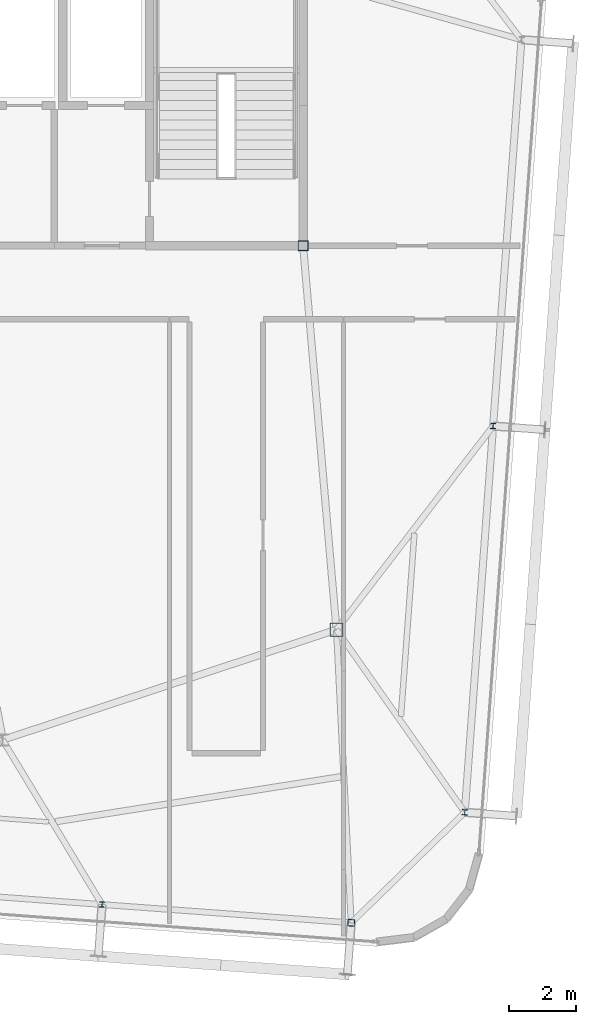
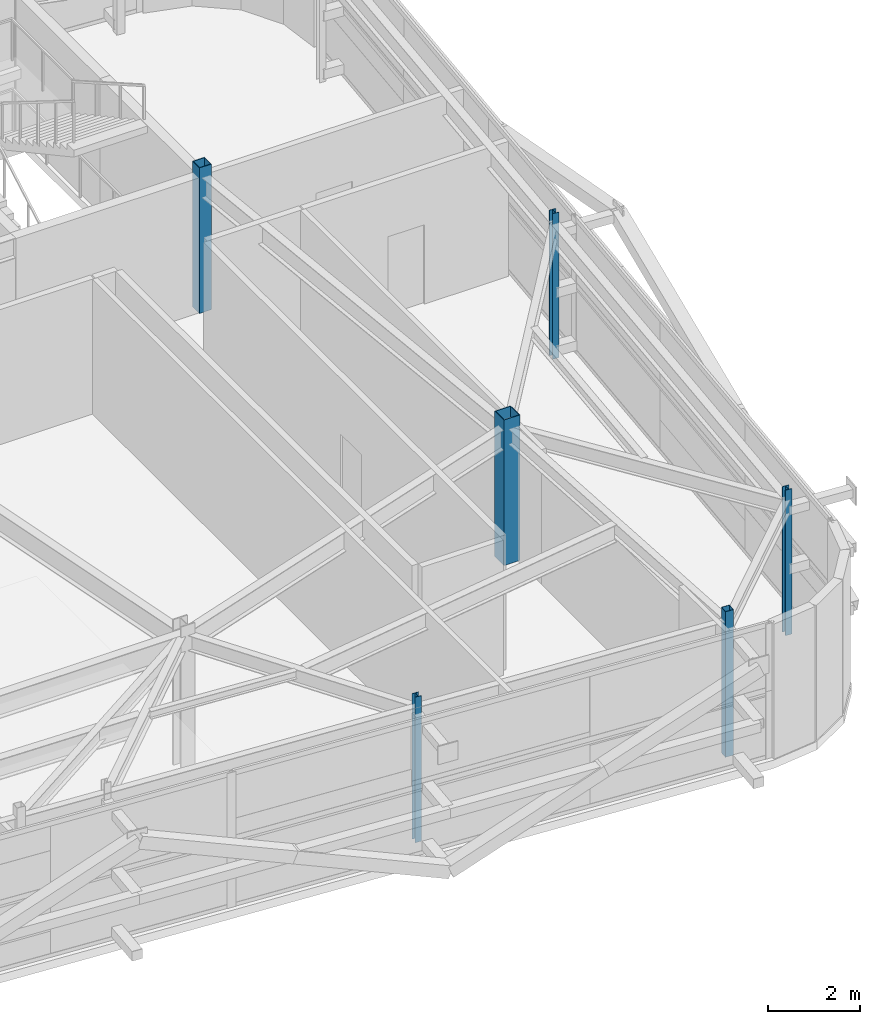
# One storey, part 5 of 35: 6 columns.
"""IFC4 building model written with IfcOpenShell, lengths in metres."""

from ifc_helpers import new_model, si_unit, direction, frame, origin, origin_2d, place, context, subcontext, project, spatial, hollow_rectangle, i_section, extrude, source, transform, mapped, material, material_profile, profile_set, type_object, element, save


model = new_model("IFC4")

# Units and contexts
model_context = context("Model", 3, precision=1e-05, world=origin(), true_north=direction((0.0, 1.0)))
body_context = subcontext(model_context, "Body", "Model", "MODEL_VIEW")
ifc_project = project(units=[si_unit("LENGTHUNIT", "METRE"), si_unit("AREAUNIT", "SQUARE_METRE"), si_unit("VOLUMEUNIT", "CUBIC_METRE"), si_unit("PLANEANGLEUNIT", "RADIAN"), si_unit("MASSUNIT", "GRAM", prefix="KILO")], contexts=[model_context])

# Site, building, storey
site_placement = place(None, origin())
site = spatial("IfcSite", under=ifc_project, at=site_placement, CompositionType="ELEMENT")
building_placement = place(site_placement, origin())
building = spatial("IfcBuilding", under=site, at=building_placement, Name="Taldren Reach Tower", CompositionType="ELEMENT")
storey_placement = place(building_placement, frame((0.0, 0.0, 249.199951171875)))
storey = spatial("IfcBuildingStorey", under=building, at=storey_placement, Name="L76", CompositionType="ELEMENT", Elevation=249.199951171875)

# Columns
ifc_material_1 = material(Name="Steel Gr 450 (C450L0)", Category="steel")
ifc_material_profile_1 = material_profile(ifc_material_1, hollow_rectangle(XDim=0.300048828125, YDim=0.300048828125, WallThickness=0.012451171875, at=origin_2d()), Name="300x300x12.5SHS")
ifc_profile_set_1 = profile_set([ifc_material_profile_1], Name="Steel Gr 450 (C450L0)")
column_type_1 = type_object("IfcColumnType", Name="COL-SHS300", PredefinedType="COLUMN", material=ifc_profile_set_1)
shared_shape_1 = source(origin(), body_context, "Body", "SweptSolid", [
    extrude(hollow_rectangle(XDim=0.300048828125, YDim=0.300048828125, WallThickness=0.012451171875, at=origin_2d()), origin(), (0.0, 0.0, 1.0), 3.85009765625),
])
column_1_placement = place(storey_placement, frame((51.0, 24.0, 0.0), z_axis=(0.0, 0.0, 1.0), x_axis=(1.0, 0.0, 0.0)))
element("IfcColumn", 1, at=column_1_placement, inside=storey, type_object=column_type_1, Name="Mega column MC-C4 L76", PredefinedType="COLUMN", context=body_context, shape_type="MappedRepresentation", body=[
    mapped(shared_shape_1, transform((0.0, 0.0, 0.0), scale=1.0)),
])
ifc_material_profile_2 = material_profile(ifc_material_1, hollow_rectangle(XDim=0.39990234375, YDim=0.39990234375, WallThickness=0.01611328125, at=origin_2d()), Name="400x400x16.0SHS")
ifc_profile_set_2 = profile_set([ifc_material_profile_2], Name="Steel Gr 450 (C450L0)")
column_type_2 = type_object("IfcColumnType", Name="COL-SHS400", PredefinedType="COLUMN", material=ifc_profile_set_2)
shared_shape_2 = source(origin(), body_context, "Body", "SweptSolid", [
    extrude(hollow_rectangle(XDim=0.39990234375, YDim=0.39990234375, WallThickness=0.01611328125, at=origin_2d()), origin(), (0.0, 0.0, 1.0), 3.85009765625),
])
column_2_placement = place(storey_placement, frame((52.0, 12.5, 0.0), z_axis=(0.0, 0.0, 1.0), x_axis=(1.0, 0.0, 0.0)))
element("IfcColumn", 2, at=column_2_placement, inside=storey, type_object=column_type_2, Name="Mega column MC-SE L76", PredefinedType="COLUMN", context=body_context, shape_type="MappedRepresentation", body=[
    mapped(shared_shape_2, transform((0.0, 0.0, 0.0), scale=1.0)),
])
ifc_material_2 = material(Name="Steel Gr 350 (C350L0)", Category="steel")
ifc_material_profile_3 = material_profile(ifc_material_2, hollow_rectangle(XDim=0.199951171875, YDim=0.199951171875, WallThickness=0.009033203125, at=origin_2d()), Name="200x200x9.0SHS")
ifc_profile_set_3 = profile_set([ifc_material_profile_3], Name="Steel Gr 350 (C350L0)")
column_type_3 = type_object("IfcColumnType", Name="COL-SHS200", PredefinedType="COLUMN", material=ifc_profile_set_3)
shared_shape_3 = source(origin(), body_context, "Body", "SweptSolid", [
    extrude(hollow_rectangle(XDim=0.199951171875, YDim=0.199951171875, WallThickness=0.009033203125, at=origin_2d()), origin(), (0.0, 0.0, 1.0), 3.85009765625),
])
column_3_placement = place(storey_placement, frame((52.440185546875, 3.72119140625, 0.0), z_axis=(0.0, 0.0, 1.0), x_axis=(0.997314477224, -0.073238197128, 0.0)))
element("IfcColumn", 3, at=column_3_placement, inside=storey, type_object=column_type_3, Name="Block B5 perimeter column S6 L76", PredefinedType="COLUMN", context=body_context, shape_type="MappedRepresentation", body=[
    mapped(shared_shape_3, transform((0.0, 0.0, 0.0), scale=1.0)),
])
ifc_material_3 = material(Name="Steel Gr 350 (350PLUS)", Category="steel")
ifc_material_profile_4 = material_profile(ifc_material_3, i_section(OverallWidth=0.154052734375, OverallDepth=0.162109375, WebThickness=0.008056640625, FlangeThickness=0.011474609375, at=origin_2d()), Name="150UC37.2")
ifc_profile_set_4 = profile_set([ifc_material_profile_4], Name="Steel Gr 350 (350PLUS)")
column_type_4 = type_object("IfcColumnType", Name="COL-UC150", PredefinedType="COLUMN", material=ifc_profile_set_4)
shared_shape_4 = source(origin(), body_context, "Body", "SweptSolid", [
    extrude(i_section(OverallWidth=0.154052734375, OverallDepth=0.162109375, WebThickness=0.008056640625, FlangeThickness=0.011474609375, at=origin_2d()), origin(), (0.0, 0.0, 1.0), 3.85009765625),
])
for number, where, z_axis, x_axis, name in (
    (4, (44.980224609375, 4.26904296875, 0.0), (0.0, 0.0, 1.0), (0.997314477224, -0.073238197128, 0.0), "Block B5 perimeter column S5 L76"),
    (5, (55.841796875, 7.031005859375, 0.0), (0.0, 0.0, 1.0), (0.997314477224, -0.073238197128, 0.0), "Block B5 perimeter column E1 L76"),
    (6, (56.69140625, 18.599853515625, 0.0), (0.0, 0.0, 1.0), (0.997314477224, -0.073238197128, 0.0), "Block B5 perimeter column E2 L76"),
):
    element("IfcColumn", number, at=place(storey_placement, frame(where, z_axis=z_axis, x_axis=x_axis)), inside=storey, type_object=column_type_4, Name=name, PredefinedType="COLUMN", context=body_context, shape_type="MappedRepresentation", body=[
        mapped(shared_shape_4, transform((0.0, 0.0, 0.0), scale=1.0)),
    ])

save(model, "model.ifc")
